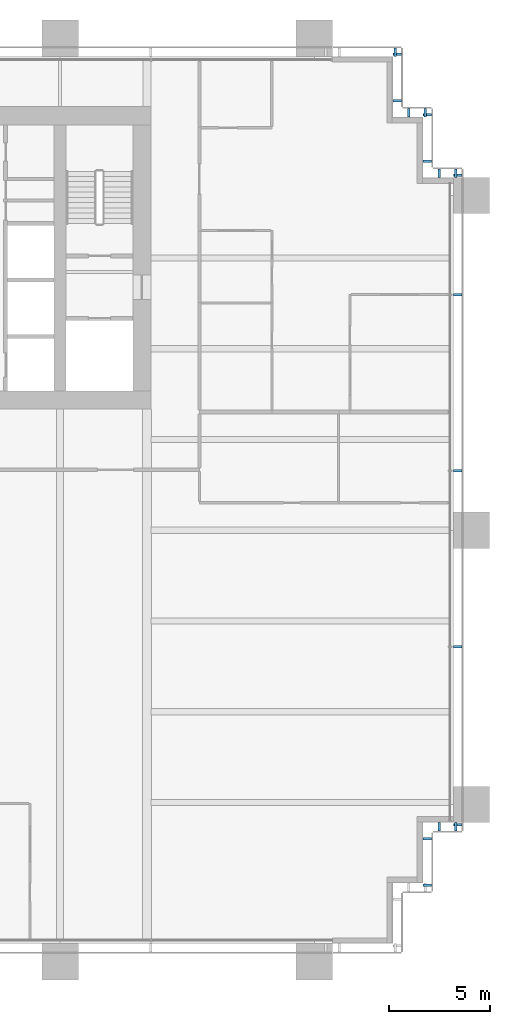
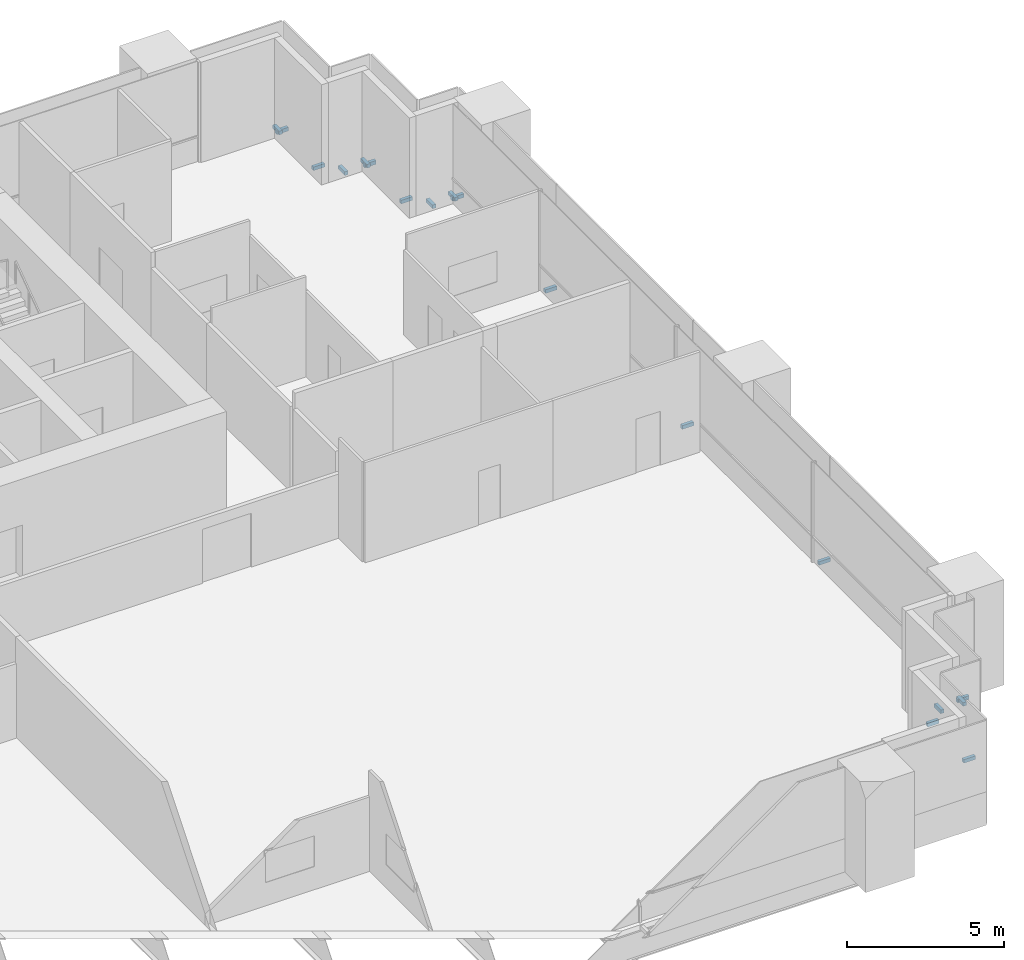
# One storey, part 16 of 19: 18 discrete accessories.
"""IFC4 building model written with IfcOpenShell, lengths in metres."""

from ifc_helpers import new_model, si_unit, direction, frame, origin, origin_2d, place, context, subcontext, project, spatial, rectangle, extrude, element, save


model = new_model("IFC4")

# Units and contexts
model_context = context("Model", 3, precision=1e-05, world=origin(), true_north=direction((0.0, 1.0)))
body_context = subcontext(model_context, "Body", "Model", "MODEL_VIEW")
ifc_project = project(units=[si_unit("LENGTHUNIT", "METRE"), si_unit("AREAUNIT", "SQUARE_METRE"), si_unit("VOLUMEUNIT", "CUBIC_METRE"), si_unit("PLANEANGLEUNIT", "RADIAN"), si_unit("MASSUNIT", "GRAM", prefix="KILO")], contexts=[model_context])

# Site, building, storey
site_placement = place(None, origin())
site = spatial("IfcSite", under=ifc_project, at=site_placement, CompositionType="ELEMENT")
building_placement = place(site_placement, origin())
building = spatial("IfcBuilding", under=site, at=building_placement, Name="Rattan Terrace Tower", CompositionType="ELEMENT")
storey_placement = place(building_placement, frame((0.0, 0.0, 52.89990234375)))
storey = spatial("IfcBuildingStorey", under=building, at=storey_placement, Name="L11", CompositionType="ELEMENT", Elevation=52.89990234375)

# Discrete accessories
for number, where, z_axis, x_axis, name in (
    (1, (31.7099609375, -31.110107421875, -0.169921875), (0.0, 0.0, 1.0), (0.0, 1.0, 0.0), "Panel bracket L11-7"),
    (2, (31.7099609375, -28.7900390625, -0.169921875), (0.0, 0.0, 1.0), (0.0, 1.0, 0.0), "Panel bracket L11-8"),
    (3, (32.2900390625, -28.2099609375, -0.169921875), (0.0, 0.0, 1.0), (1.0, 0.0, 0.0), "Panel bracket L11-9"),
    (4, (33.110107421875, -28.2099609375, -0.169921875), (0.0, 0.0, 1.0), (1.0, 0.0, 0.0), "Panel bracket L11-10"),
    (5, (33.2099609375, -28.110107421875, -0.169921875), (0.0, 0.0, 1.0), (0.0, 1.0, 0.0), "Panel bracket L11-11"),
    (6, (33.2099609375, -19.27294921875, -0.169921875), (0.0, 0.0, 1.0), (0.0, 1.0, 0.0), "Panel bracket L11-12"),
    (7, (33.2099609375, -10.5458984375, -0.169921875), (0.0, 0.0, 1.0), (0.0, 1.0, 0.0), "Panel bracket L11-13"),
    (8, (33.2099609375, -1.819091796875, -0.169921875), (0.0, 0.0, 1.0), (0.0, 1.0, 0.0), "Panel bracket L11-14"),
    (9, (33.2099609375, 4.110107421875, -0.169921875), (0.0, 0.0, 1.0), (0.0, 1.0, 0.0), "Panel bracket L11-15"),
    (10, (33.110107421875, 4.2099609375, -0.169921875), (0.0, 0.0, 1.0), (-1.0, 0.0, 0.0), "Panel bracket L11-16"),
    (11, (32.2900390625, 4.2099609375, -0.169921875), (0.0, 0.0, 1.0), (-1.0, 0.0, 0.0), "Panel bracket L11-17"),
    (12, (31.7099609375, 4.7900390625, -0.169921875), (0.0, 0.0, 1.0), (0.0, 1.0, 0.0), "Panel bracket L11-18"),
    (13, (31.7099609375, 7.110107421875, -0.169921875), (0.0, 0.0, 1.0), (0.0, 1.0, 0.0), "Panel bracket L11-19"),
    (14, (31.610107421875, 7.2099609375, -0.169921875), (0.0, 0.0, 1.0), (-1.0, 0.0, 0.0), "Panel bracket L11-20"),
    (15, (30.7900390625, 7.2099609375, -0.169921875), (0.0, 0.0, 1.0), (-1.0, 0.0, 0.0), "Panel bracket L11-21"),
    (16, (30.2099609375, 7.7900390625, -0.169921875), (0.0, 0.0, 1.0), (0.0, 1.0, 0.0), "Panel bracket L11-22"),
    (17, (30.2099609375, 10.110107421875, -0.169921875), (0.0, 0.0, 1.0), (0.0, 1.0, 0.0), "Panel bracket L11-23"),
    (18, (30.110107421875, 10.2099609375, -0.169921875), (0.0, 0.0, 1.0), (-1.0, 0.0, 0.0), "Panel bracket L11-24"),
):
    element("IfcDiscreteAccessory", number, at=place(storey_placement, frame(where, z_axis=z_axis, x_axis=x_axis)), inside=storey, Name=name, PredefinedType="BRACKET", context=body_context, shape_type="SweptSolid", body=[
        extrude(rectangle(XDim=0.1201171875, YDim=0.419921875, at=origin_2d()), origin(), (0.0, 0.0, 1.0), 0.139892578125),
    ])

save(model, "model.ifc")
